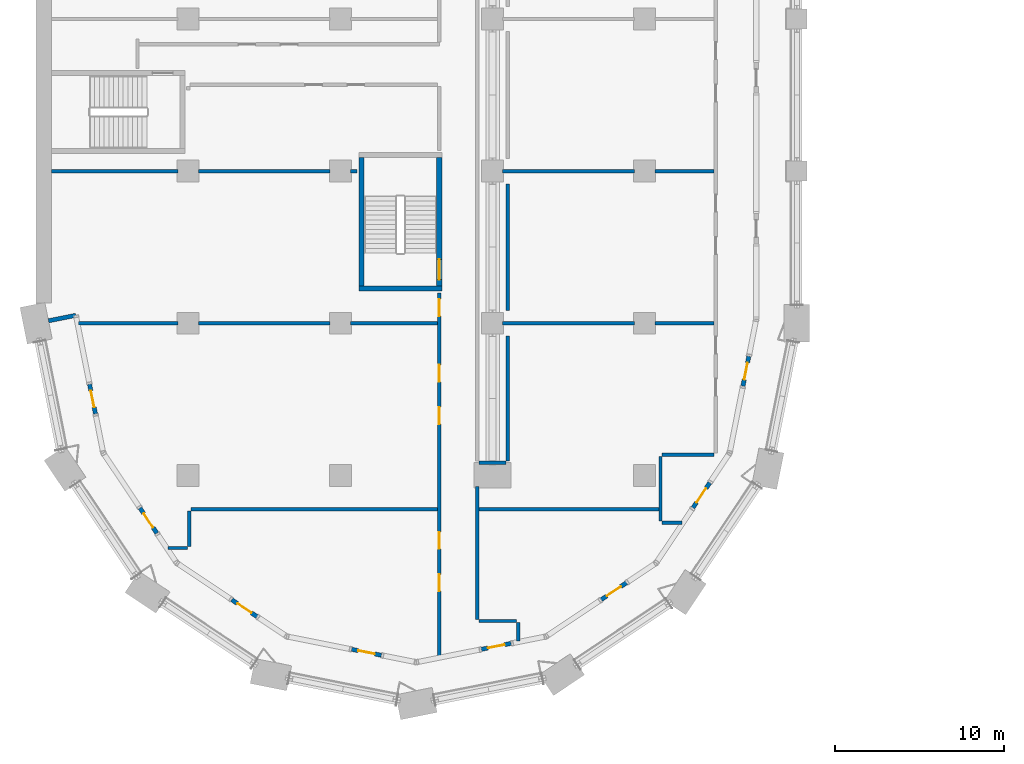
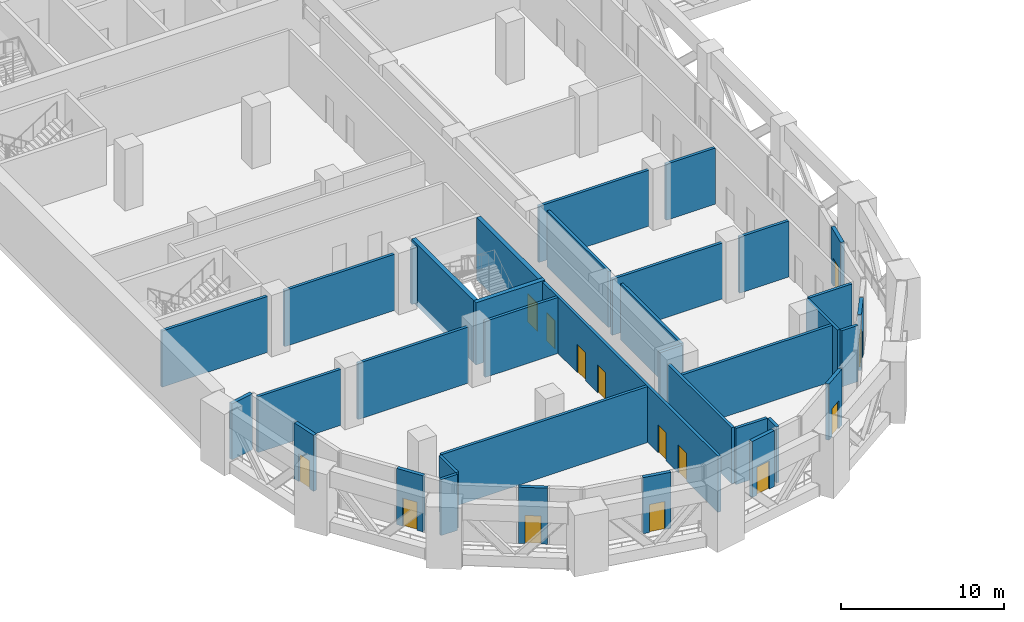
# One storey, part 7 of 22: 36 walls, 14 doors, 14 openings.
"""IFC4 building model written with IfcOpenShell, lengths in metres."""

from ifc_helpers import new_model, si_unit, direction, frame, frame_2d, origin, place, context, subcontext, project, spatial, rectangle, extrude, material, layer, layer_set, type_object, element, fill, save


model = new_model("IFC4")

# Units and contexts
model_context = context("Model", 3, precision=1e-05, world=origin(), true_north=direction((0.0, 1.0)))
body_context = subcontext(model_context, "Body", "Model", "MODEL_VIEW")
ifc_project = project(units=[si_unit("LENGTHUNIT", "METRE"), si_unit("AREAUNIT", "SQUARE_METRE"), si_unit("VOLUMEUNIT", "CUBIC_METRE"), si_unit("PLANEANGLEUNIT", "RADIAN"), si_unit("MASSUNIT", "GRAM", prefix="KILO")], contexts=[model_context])

# Site, building, storey
site_placement = place(None, origin())
site = spatial("IfcSite", under=ifc_project, at=site_placement, CompositionType="ELEMENT")
building_placement = place(site_placement, origin())
building = spatial("IfcBuilding", under=site, at=building_placement, Name="Hunhe Ridgeline Campus", CompositionType="ELEMENT")
storey_placement = place(building_placement, frame((0.0, 0.0, 129.199951171875)))
storey = spatial("IfcBuildingStorey", under=building, at=storey_placement, Name="L32", CompositionType="ELEMENT", Elevation=129.199951171875)

# Walls
ifc_material_1 = material(Name="Concrete C30", Category="concrete")
ifc_layer_1 = layer(ifc_material_1, 0.25)
ifc_layer_set_1 = layer_set([ifc_layer_1], Name="Corner return wall 250 Concrete C30")
wall_type_1 = type_object("IfcWallType", Name="Corner return wall 250 Concrete C30", PredefinedType="SOLIDWALL", material=ifc_layer_set_1)
wall_1_placement = place(storey_placement, frame((0.7353515625, 27.14697265625, 0.0), z_axis=(0.0, 0.0, 1.0), x_axis=(0.980824468215, 0.194893208067, 0.0)))
element("IfcWall", 1, at=wall_1_placement, inside=storey, type_object=wall_type_1, Name="Corner return wall 1", PredefinedType="SOLIDWALL", context=body_context, shape_type="SweptSolid", body=[
    extrude(rectangle(XDim=1.651123046875, YDim=0.25, at=frame_2d((0.82568359375, 0.0))), origin(), (0.0, 0.0, 1.0), 4.199951171875),
])
ifc_material_2 = material(Name="Gypsum board partition")
ifc_layer_2 = layer(ifc_material_2, 0.199951171875)
ifc_layer_set_2 = layer_set([ifc_layer_2], Name="Corridor partition 200 gypsum board on steel studs")
wall_type_2 = type_object("IfcWallType", Name="Corridor partition 200 gypsum board on steel studs", PredefinedType="PARTITIONING", material=ifc_layer_set_2)
wall_2_placement = place(storey_placement, frame((26.199951171875, 9.386962890625, 0.0), z_axis=(0.0, 0.0, 1.0), x_axis=(1.0, 0.0, 0.0)))
element("IfcWall", 2, at=wall_2_placement, inside=storey, type_object=wall_type_2, Name="F-L32-wall-001", PredefinedType="PARTITIONING", context=body_context, shape_type="SweptSolid", body=[
    extrude(rectangle(XDim=2.219970703125, YDim=0.199951171875, at=frame_2d((1.10986328125, 0.0))), origin(), (0.0, 0.0, 1.0), 4.199951171875),
])
for number, where, z_axis, x_axis, name in (
    (3, (7.796875, 13.702880859375, 0.0), (0.0, 0.0, 1.0), (1.0, 0.0, 0.0), "F-L32-wall-002"),
    (4, (38.203125, 15.199951171875, 0.0), (0.0, 0.0, 1.0), (-1.0, 0.0, 0.0), "F-L32-wall-003"),
):
    element("IfcWall", number, at=place(storey_placement, frame(where, z_axis=z_axis, x_axis=x_axis)), inside=storey, type_object=wall_type_2, Name=name, PredefinedType="PARTITIONING", context=body_context, shape_type="SweptSolid", body=[
        extrude(rectangle(XDim=1.1650390625, YDim=0.199951171875, at=frame_2d((0.58251953125, 0.0))), origin(), (0.0, 0.0, 1.0), 4.199951171875),
    ])
wall_3_placement = place(storey_placement, frame((9.162109375, 15.9990234375, 0.0), z_axis=(0.0, 0.0, 1.0), x_axis=(1.0, 0.0, 0.0)))
element("IfcWall", 5, at=wall_3_placement, inside=storey, type_object=wall_type_2, Name="F-L32-wall-004", PredefinedType="PARTITIONING", context=body_context, shape_type="SweptSolid", body=[
    extrude(rectangle(XDim=14.587890625, YDim=0.199951171875, at=frame_2d((7.2939453125, 0.0))), origin(), (0.0, 0.0, 1.0), 4.199951171875),
])
wall_4_placement = place(storey_placement, frame((26.199951171875, 15.9990234375, 0.0), z_axis=(0.0, 0.0, 1.0), x_axis=(1.0, 0.0, 0.0)))
element("IfcWall", 6, at=wall_4_placement, inside=storey, type_object=wall_type_2, Name="F-L32-wall-005", PredefinedType="PARTITIONING", context=body_context, shape_type="SweptSolid", body=[
    extrude(rectangle(XDim=10.637939453125, YDim=0.199951171875, at=frame_2d((5.31884765625, 0.0))), origin(), (0.0, 0.0, 1.0), 4.199951171875),
])
wall_5_placement = place(storey_placement, frame((26.199951171875, 18.75, 0.0), z_axis=(0.0, 0.0, 1.0), x_axis=(1.0, 0.0, 0.0)))
element("IfcWall", 7, at=wall_5_placement, inside=storey, type_object=wall_type_2, Name="F-L32-wall-006", PredefinedType="PARTITIONING", context=body_context, shape_type="SweptSolid", body=[
    extrude(rectangle(XDim=1.60009765625, YDim=0.199951171875, at=frame_2d((0.800048828125, 0.0))), origin(), (0.0, 0.0, 1.0), 4.199951171875),
])
wall_6_placement = place(storey_placement, frame((37.0380859375, 19.221923828125, 0.0), z_axis=(0.0, 0.0, 1.0), x_axis=(1.0, 0.0, 0.0)))
element("IfcWall", 8, at=wall_6_placement, inside=storey, type_object=wall_type_2, Name="F-L32-wall-007", PredefinedType="PARTITIONING", context=body_context, shape_type="SweptSolid", body=[
    extrude(rectangle(XDim=3.06201171875, YDim=0.199951171875, at=frame_2d((1.531005859375, 0.0))), origin(), (0.0, 0.0, 1.0), 4.199951171875),
])
wall_7_placement = place(storey_placement, frame((2.5029296875, 27.0, 0.0), z_axis=(0.0, 0.0, 1.0), x_axis=(1.0, 0.0, 0.0)))
element("IfcWall", 9, at=wall_7_placement, inside=storey, type_object=wall_type_2, Name="F-L32-wall-008", PredefinedType="PARTITIONING", context=body_context, shape_type="SweptSolid", body=[
    extrude(rectangle(XDim=5.89697265625, YDim=0.199951171875, at=frame_2d((2.948486328125, 0.0))), origin(), (0.0, 0.0, 1.0), 4.199951171875),
])
wall_8_placement = place(storey_placement, frame((9.60009765625, 27.0, 0.0), z_axis=(0.0, 0.0, 1.0), x_axis=(1.0, 0.0, 0.0)))
element("IfcWall", 10, at=wall_8_placement, inside=storey, type_object=wall_type_2, Name="F-L32-wall-009", PredefinedType="PARTITIONING", context=body_context, shape_type="SweptSolid", body=[
    extrude(rectangle(XDim=7.7998046875, YDim=0.199951171875, at=frame_2d((3.89990234375, 0.0))), origin(), (0.0, 0.0, 1.0), 4.199951171875),
])
wall_9_placement = place(storey_placement, frame((18.60009765625, 27.0, 0.0), z_axis=(0.0, 0.0, 1.0), x_axis=(1.0, 0.0, 0.0)))
element("IfcWall", 11, at=wall_9_placement, inside=storey, type_object=wall_type_2, Name="F-L32-wall-010", PredefinedType="PARTITIONING", context=body_context, shape_type="SweptSolid", body=[
    extrude(rectangle(XDim=5.14990234375, YDim=0.199951171875, at=frame_2d((2.574951171875, 0.0))), origin(), (0.0, 0.0, 1.0), 4.199951171875),
])
wall_10_placement = place(storey_placement, frame((27.60009765625, 27.0, 0.0), z_axis=(0.0, 0.0, 1.0), x_axis=(1.0, 0.0, 0.0)))
element("IfcWall", 12, at=wall_10_placement, inside=storey, type_object=wall_type_2, Name="F-L32-wall-011", PredefinedType="PARTITIONING", context=body_context, shape_type="SweptSolid", body=[
    extrude(rectangle(XDim=7.7998046875, YDim=0.199951171875, at=frame_2d((3.89990234375, 0.0))), origin(), (0.0, 0.0, 1.0), 4.199951171875),
])
wall_11_placement = place(storey_placement, frame((36.60009765625, 27.0, 0.0), z_axis=(0.0, 0.0, 1.0), x_axis=(1.0, 0.0, 0.0)))
element("IfcWall", 13, at=wall_11_placement, inside=storey, type_object=wall_type_2, Name="F-L32-wall-012", PredefinedType="PARTITIONING", context=body_context, shape_type="SweptSolid", body=[
    extrude(rectangle(XDim=3.5, YDim=0.199951171875, at=frame_2d((1.75, 0.0))), origin(), (0.0, 0.0, 1.0), 4.199951171875),
])
wall_12_placement = place(storey_placement, frame((0.924072265625, 36.0, 0.0), z_axis=(0.0, 0.0, 1.0), x_axis=(1.0, 0.0, 0.0)))
element("IfcWall", 14, at=wall_12_placement, inside=storey, type_object=wall_type_2, Name="F-L32-wall-013", PredefinedType="PARTITIONING", context=body_context, shape_type="SweptSolid", body=[
    extrude(rectangle(XDim=7.475830078125, YDim=0.199951171875, at=frame_2d((3.73779296875, 0.0))), origin(), (0.0, 0.0, 1.0), 4.199951171875),
])
wall_13_placement = place(storey_placement, frame((9.60009765625, 36.0, 0.0), z_axis=(0.0, 0.0, 1.0), x_axis=(1.0, 0.0, 0.0)))
element("IfcWall", 15, at=wall_13_placement, inside=storey, type_object=wall_type_2, Name="F-L32-wall-014", PredefinedType="PARTITIONING", context=body_context, shape_type="SweptSolid", body=[
    extrude(rectangle(XDim=7.7998046875, YDim=0.199951171875, at=frame_2d((3.89990234375, 0.0))), origin(), (0.0, 0.0, 1.0), 4.199951171875),
])
wall_14_placement = place(storey_placement, frame((18.60009765625, 36.0, 0.0), z_axis=(0.0, 0.0, 1.0), x_axis=(1.0, 0.0, 0.0)))
element("IfcWall", 16, at=wall_14_placement, inside=storey, type_object=wall_type_2, Name="F-L32-wall-015", PredefinedType="PARTITIONING", context=body_context, shape_type="SweptSolid", body=[
    extrude(rectangle(XDim=0.39599609375, YDim=0.199951171875, at=frame_2d((0.197998046875, 0.0))), origin(), (0.0, 0.0, 1.0), 4.199951171875),
])
wall_15_placement = place(storey_placement, frame((27.60009765625, 36.0, 0.0), z_axis=(0.0, 0.0, 1.0), x_axis=(1.0, 0.0, 0.0)))
element("IfcWall", 17, at=wall_15_placement, inside=storey, type_object=wall_type_2, Name="F-L32-wall-016", PredefinedType="PARTITIONING", context=body_context, shape_type="SweptSolid", body=[
    extrude(rectangle(XDim=7.7998046875, YDim=0.199951171875, at=frame_2d((3.89990234375, 0.0))), origin(), (0.0, 0.0, 1.0), 4.199951171875),
])
wall_16_placement = place(storey_placement, frame((36.60009765625, 36.0, 0.0), z_axis=(0.0, 0.0, 1.0), x_axis=(1.0, 0.0, 0.0)))
element("IfcWall", 18, at=wall_16_placement, inside=storey, type_object=wall_type_2, Name="F-L32-wall-017", PredefinedType="PARTITIONING", context=body_context, shape_type="SweptSolid", body=[
    extrude(rectangle(XDim=3.5, YDim=0.199951171875, at=frame_2d((1.75, 0.0))), origin(), (0.0, 0.0, 1.0), 4.199951171875),
])
wall_17_placement = place(storey_placement, frame((9.06201171875, 15.89892578125, 0.0), z_axis=(0.0, 0.0, 1.0), x_axis=(0.0, -1.0, 0.0)))
element("IfcWall", 19, at=wall_17_placement, inside=storey, type_object=wall_type_2, Name="F-L32-wall-046", PredefinedType="PARTITIONING", context=body_context, shape_type="SweptSolid", body=[
    extrude(rectangle(XDim=2.095947265625, YDim=0.199951171875, at=frame_2d((1.0478515625, 0.0))), origin(), (0.0, 0.0, 1.0), 4.199951171875),
])

# Wall, openings, doors
wall_18_placement = place(storey_placement, frame((23.85009765625, 7.271728515625, 0.0), z_axis=(0.0, 0.0, 1.0), x_axis=(0.0, 1.0, 0.0)))
wall_18 = element("IfcWall", 20, at=wall_18_placement, inside=storey, type_object=wall_type_2, Name="F-L32-wall-047", PredefinedType="PARTITIONING", context=body_context, shape_type="SweptSolid", body=[
    extrude(rectangle(XDim=21.524169921875, YDim=0.199951171875, at=frame_2d((10.76220703125, 0.0))), origin(), (0.0, 0.0, 1.0), 4.199951171875),
])
opening_1_placement = place(wall_18_placement, frame((3.8798828125, 0.0, 0.0)))
opening_1 = element("IfcOpeningElement", 21, at=opening_1_placement, cuts=wall_18, Name="Opening RD1-001", PredefinedType="OPENING", context=body_context, shape_type="SweptSolid", body=[
    extrude(rectangle(XDim=1.0, YDim=2.10009765625, at=frame_2d((0.5, 1.050048828125))), frame((0.0, 0.10009765625, 0.0), z_axis=(0.0, -1.0, 0.0), x_axis=(1.0, 0.0, 0.0)), (0.0, 0.0, 1.0), 0.199951171875),
])
opening_2_placement = place(wall_18_placement, frame((6.3798828125, 0.0, 0.0)))
opening_2 = element("IfcOpeningElement", 22, at=opening_2_placement, cuts=wall_18, Name="Opening RD1-002", PredefinedType="OPENING", context=body_context, shape_type="SweptSolid", body=[
    extrude(rectangle(XDim=1.0, YDim=2.10009765625, at=frame_2d((0.5, 1.050048828125))), frame((0.0, 0.10009765625, 0.0), z_axis=(0.0, -1.0, 0.0), x_axis=(1.0, 0.0, 0.0)), (0.0, 0.0, 1.0), 0.199951171875),
])
opening_3_placement = place(wall_18_placement, frame((13.76611328125, 0.0, 0.0)))
opening_3 = element("IfcOpeningElement", 23, at=opening_3_placement, cuts=wall_18, Name="Opening RD1-003", PredefinedType="OPENING", context=body_context, shape_type="SweptSolid", body=[
    extrude(rectangle(XDim=1.0, YDim=2.10009765625, at=frame_2d((0.5, 1.050048828125))), frame((0.0, 0.10009765625, 0.0), z_axis=(0.0, -1.0, 0.0), x_axis=(1.0, 0.0, 0.0)), (0.0, 0.0, 1.0), 0.199951171875),
])
opening_4_placement = place(wall_18_placement, frame((16.26611328125, 0.0, 0.0)))
opening_4 = element("IfcOpeningElement", 24, at=opening_4_placement, cuts=wall_18, Name="Opening RD1-005", PredefinedType="OPENING", context=body_context, shape_type="SweptSolid", body=[
    extrude(rectangle(XDim=1.0, YDim=2.10009765625, at=frame_2d((0.5, 1.050048828125))), frame((0.0, 0.10009765625, 0.0), z_axis=(0.0, -1.0, 0.0), x_axis=(1.0, 0.0, 0.0)), (0.0, 0.0, 1.0), 0.199951171875),
])
opening_5_placement = place(wall_18_placement, frame((20.1484375, 0.0, 0.0)))
opening_5 = element("IfcOpeningElement", 25, at=opening_5_placement, cuts=wall_18, Name="Opening RD1-007", PredefinedType="OPENING", context=body_context, shape_type="SweptSolid", body=[
    extrude(rectangle(XDim=1.0, YDim=2.10009765625, at=frame_2d((0.5, 1.050048828125))), frame((0.0, 0.10009765625, 0.0), z_axis=(0.0, -1.0, 0.0), x_axis=(1.0, 0.0, 0.0)), (0.0, 0.0, 1.0), 0.199951171875),
])
ifc_material_3 = material(Name="Timber door leaf", Category="wood")
door_type_1 = type_object("IfcDoorType", Name="Single fire door 1000x2100 timber FD60", OperationType="NOTDEFINED", PredefinedType="DOOR", material=ifc_material_3)
door_1_placement = place(opening_1_placement, frame((1.0, 0.0, 0.0), z_axis=(0.0, 0.0, 1.0), x_axis=(-1.0, 0.0, 0.0)))
door_1 = element("IfcDoor", 26, at=door_1_placement, inside=storey, type_object=door_type_1, Name="F-L32-door-001", OperationType="SINGLE_SWING_LEFT", OverallHeight=2.10009765625, OverallWidth=1.0, PredefinedType="DOOR", context=body_context, shape_type="SweptSolid", body=[
    extrude(rectangle(XDim=1.0, YDim=2.10009765625, at=frame_2d((0.5, 1.050048828125))), frame((0.0, 0.02490234375, 0.0), z_axis=(0.0, -1.0, 0.0), x_axis=(1.0, 0.0, 0.0)), (0.0, 0.0, 1.0), 0.050048828125),
])
fill(opening_1, door_1)
door_2_placement = place(opening_2_placement, frame((1.0, 0.0, 0.0), z_axis=(0.0, 0.0, 1.0), x_axis=(-1.0, 0.0, 0.0)))
door_2 = element("IfcDoor", 27, at=door_2_placement, inside=storey, type_object=door_type_1, Name="F-L32-door-002", OperationType="SINGLE_SWING_LEFT", OverallHeight=2.10009765625, OverallWidth=1.0, PredefinedType="DOOR", context=body_context, shape_type="SweptSolid", body=[
    extrude(rectangle(XDim=1.0, YDim=2.10009765625, at=frame_2d((0.5, 1.050048828125))), frame((0.0, 0.02490234375, 0.0), z_axis=(0.0, -1.0, 0.0), x_axis=(1.0, 0.0, 0.0)), (0.0, 0.0, 1.0), 0.050048828125),
])
fill(opening_2, door_2)
door_3_placement = place(opening_3_placement, frame((1.0, 0.0, 0.0), z_axis=(0.0, 0.0, 1.0), x_axis=(-1.0, 0.0, 0.0)))
door_3 = element("IfcDoor", 28, at=door_3_placement, inside=storey, type_object=door_type_1, Name="F-L32-door-003", OperationType="SINGLE_SWING_LEFT", OverallHeight=2.10009765625, OverallWidth=1.0, PredefinedType="DOOR", context=body_context, shape_type="SweptSolid", body=[
    extrude(rectangle(XDim=1.0, YDim=2.10009765625, at=frame_2d((0.5, 1.050048828125))), frame((0.0, 0.02490234375, 0.0), z_axis=(0.0, -1.0, 0.0), x_axis=(1.0, 0.0, 0.0)), (0.0, 0.0, 1.0), 0.050048828125),
])
fill(opening_3, door_3)
door_4_placement = place(opening_4_placement, frame((1.0, 0.0, 0.0), z_axis=(0.0, 0.0, 1.0), x_axis=(-1.0, 0.0, 0.0)))
door_4 = element("IfcDoor", 29, at=door_4_placement, inside=storey, type_object=door_type_1, Name="F-L32-door-005", OperationType="SINGLE_SWING_LEFT", OverallHeight=2.10009765625, OverallWidth=1.0, PredefinedType="DOOR", context=body_context, shape_type="SweptSolid", body=[
    extrude(rectangle(XDim=1.0, YDim=2.10009765625, at=frame_2d((0.5, 1.050048828125))), frame((0.0, 0.02490234375, 0.0), z_axis=(0.0, -1.0, 0.0), x_axis=(1.0, 0.0, 0.0)), (0.0, 0.0, 1.0), 0.050048828125),
])
fill(opening_4, door_4)
door_5_placement = place(opening_5_placement, frame((1.0, 0.0, 0.0), z_axis=(0.0, 0.0, 1.0), x_axis=(-1.0, 0.0, 0.0)))
door_5 = element("IfcDoor", 30, at=door_5_placement, inside=storey, type_object=door_type_1, Name="F-L32-door-007", OperationType="SINGLE_SWING_LEFT", OverallHeight=2.10009765625, OverallWidth=1.0, PredefinedType="DOOR", context=body_context, shape_type="SweptSolid", body=[
    extrude(rectangle(XDim=1.0, YDim=2.10009765625, at=frame_2d((0.5, 1.050048828125))), frame((0.0, 0.02490234375, 0.0), z_axis=(0.0, -1.0, 0.0), x_axis=(1.0, 0.0, 0.0)), (0.0, 0.0, 1.0), 0.050048828125),
])
fill(opening_5, door_5)

# Walls
wall_19_placement = place(storey_placement, frame((26.10009765625, 17.35009765625, 0.0), z_axis=(0.0, 0.0, 1.0), x_axis=(0.0, -1.0, 0.0)))
element("IfcWall", 31, at=wall_19_placement, inside=storey, type_object=wall_type_2, Name="F-L32-wall-050", PredefinedType="PARTITIONING", context=body_context, shape_type="SweptSolid", body=[
    extrude(rectangle(XDim=7.863037109375, YDim=0.199951171875, at=frame_2d((3.931640625, 0.0))), origin(), (0.0, 0.0, 1.0), 4.199951171875),
])
wall_20_placement = place(storey_placement, frame((27.89990234375, 26.25, 0.0), z_axis=(0.0, 0.0, 1.0), x_axis=(0.0, -1.0, 0.0)))
element("IfcWall", 32, at=wall_20_placement, inside=storey, type_object=wall_type_2, Name="F-L32-wall-052", PredefinedType="PARTITIONING", context=body_context, shape_type="SweptSolid", body=[
    extrude(rectangle(XDim=7.39990234375, YDim=0.199951171875, at=frame_2d((3.699951171875, 0.0))), origin(), (0.0, 0.0, 1.0), 4.199951171875),
])
wall_21_placement = place(storey_placement, frame((27.89990234375, 35.25, 0.0), z_axis=(0.0, 0.0, 1.0), x_axis=(0.0, -1.0, 0.0)))
element("IfcWall", 33, at=wall_21_placement, inside=storey, type_object=wall_type_2, Name="F-L32-wall-053", PredefinedType="PARTITIONING", context=body_context, shape_type="SweptSolid", body=[
    extrude(rectangle(XDim=7.5, YDim=0.199951171875, at=frame_2d((3.75, 0.0))), origin(), (0.0, 0.0, 1.0), 4.199951171875),
])
wall_22_placement = place(storey_placement, frame((28.52001953125, 9.287109375, 0.0), z_axis=(0.0, 0.0, 1.0), x_axis=(0.0, -1.0, 0.0)))
element("IfcWall", 34, at=wall_22_placement, inside=storey, type_object=wall_type_2, Name="F-L32-wall-057", PredefinedType="PARTITIONING", context=body_context, shape_type="SweptSolid", body=[
    extrude(rectangle(XDim=1.086669921875, YDim=0.199951171875, at=frame_2d((0.54345703125, 0.0))), origin(), (0.0, 0.0, 1.0), 4.199951171875),
])
wall_23_placement = place(storey_placement, frame((36.93798828125, 15.300048828125, 0.0), z_axis=(0.0, 0.0, 1.0), x_axis=(0.0, 1.0, 0.0)))
element("IfcWall", 35, at=wall_23_placement, inside=storey, type_object=wall_type_2, Name="F-L32-wall-058", PredefinedType="PARTITIONING", context=body_context, shape_type="SweptSolid", body=[
    extrude(rectangle(XDim=3.822021484375, YDim=0.199951171875, at=frame_2d((1.9111328125, 0.0))), origin(), (0.0, 0.0, 1.0), 4.199951171875),
])

# Wall, opening, door
ifc_layer_3 = layer(ifc_material_1, 0.25)
ifc_layer_set_3 = layer_set([ifc_layer_3], Name="Loggia door pier wall 250 Concrete C30")
wall_type_3 = type_object("IfcWallType", Name="Loggia door pier wall 250 Concrete C30", PredefinedType="SOLIDWALL", material=ifc_layer_set_3)
wall_24_placement = place(storey_placement, frame((3.16455078125, 23.3974609375, 0.0), z_axis=(0.0, 0.0, 1.0), x_axis=(0.19517704197, -0.980768026746, 0.0)))
wall_24 = element("IfcWall", 36, at=wall_24_placement, inside=storey, type_object=wall_type_3, Name="Loggia door pier 1", PredefinedType="SOLIDWALL", context=body_context, shape_type="SweptSolid", body=[
    extrude(rectangle(XDim=1.800048828125, YDim=0.25, at=frame_2d((0.89990234375, 0.0))), origin(), (0.0, 0.0, 1.0), 4.199951171875),
])
opening_6_placement = place(wall_24_placement, frame((0.39990234375, 0.0, 0.0)))
opening_6 = element("IfcOpeningElement", 37, at=opening_6_placement, cuts=wall_24, Name="Opening BR301", PredefinedType="OPENING", context=body_context, shape_type="SweptSolid", body=[
    extrude(rectangle(XDim=1.0, YDim=2.10009765625, at=frame_2d((0.5, 1.050048828125))), frame((0.0, 0.125, 0.0), z_axis=(0.0, -1.0, 0.0), x_axis=(1.0, 0.0, 0.0)), (0.0, 0.0, 1.0), 0.25),
])
ifc_material_4 = material(Name="Aluminium 6063", Category="aluminium")
door_type_2 = type_object("IfcDoorType", Name="Loggia glazed door 1000x2100", OperationType="NOTDEFINED", PredefinedType="DOOR", material=ifc_material_4)
door_6_placement = place(opening_6_placement, frame((1.0, 0.0, 0.0), z_axis=(0.0, 0.0, 1.0), x_axis=(-1.0, 0.0, 0.0)))
door_6 = element("IfcDoor", 38, at=door_6_placement, inside=storey, type_object=door_type_2, Name="Loggia door BR301", OperationType="SINGLE_SWING_RIGHT", OverallHeight=2.10009765625, OverallWidth=1.0, PredefinedType="DOOR", context=body_context, shape_type="SweptSolid", body=[
    extrude(rectangle(XDim=1.0, YDim=2.10009765625, at=frame_2d((0.5, 1.050048828125))), frame((0.0, 0.02490234375, 0.0), z_axis=(0.0, -1.0, 0.0), x_axis=(1.0, 0.0, 0.0)), (0.0, 0.0, 1.0), 0.050048828125),
])
fill(opening_6, door_6)

wall_25_placement = place(storey_placement, frame((6.147705078125, 16.07373046875, 0.0), z_axis=(0.0, 0.0, 1.0), x_axis=(0.555576323502, -0.83146554274, 0.0)))
wall_25 = element("IfcWall", 39, at=wall_25_placement, inside=storey, type_object=wall_type_3, Name="Loggia door pier 2", PredefinedType="SOLIDWALL", context=body_context, shape_type="SweptSolid", body=[
    extrude(rectangle(XDim=1.800048828125, YDim=0.25, at=frame_2d((0.89990234375, 0.0))), origin(), (0.0, 0.0, 1.0), 4.199951171875),
])
opening_7_placement = place(wall_25_placement, frame((0.39990234375, 0.0, 0.0)))
opening_7 = element("IfcOpeningElement", 40, at=opening_7_placement, cuts=wall_25, Name="Opening BR302", PredefinedType="OPENING", context=body_context, shape_type="SweptSolid", body=[
    extrude(rectangle(XDim=1.0, YDim=2.10009765625, at=frame_2d((0.5, 1.050048828125))), frame((0.0, 0.125, 0.0), z_axis=(0.0, -1.0, 0.0), x_axis=(1.0, 0.0, 0.0)), (0.0, 0.0, 1.0), 0.25),
])
door_7_placement = place(opening_7_placement, frame((1.0, 0.0, 0.0), z_axis=(0.0, 0.0, 1.0), x_axis=(-1.0, 0.0, 0.0)))
door_7 = element("IfcDoor", 41, at=door_7_placement, inside=storey, type_object=door_type_2, Name="Loggia door BR302", OperationType="SINGLE_SWING_LEFT", OverallHeight=2.10009765625, OverallWidth=1.0, PredefinedType="DOOR", context=body_context, shape_type="SweptSolid", body=[
    extrude(rectangle(XDim=1.0, YDim=2.10009765625, at=frame_2d((0.5, 1.050048828125))), frame((0.0, 0.02490234375, 0.0), z_axis=(0.0, -1.0, 0.0), x_axis=(1.0, 0.0, 0.0)), (0.0, 0.0, 1.0), 0.050048828125),
])
fill(opening_7, door_7)

wall_26_placement = place(storey_placement, frame((11.57373046875, 10.647705078125, 0.0), z_axis=(0.0, 0.0, 1.0), x_axis=(0.83146554274, -0.555576323502, 0.0)))
wall_26 = element("IfcWall", 42, at=wall_26_placement, inside=storey, type_object=wall_type_3, Name="Loggia door pier 3", PredefinedType="SOLIDWALL", context=body_context, shape_type="SweptSolid", body=[
    extrude(rectangle(XDim=1.800048828125, YDim=0.25, at=frame_2d((0.89990234375, 0.0))), origin(), (0.0, 0.0, 1.0), 4.199951171875),
])
opening_8_placement = place(wall_26_placement, frame((0.39990234375, 0.0, 0.0)))
opening_8 = element("IfcOpeningElement", 43, at=opening_8_placement, cuts=wall_26, Name="Opening BR303", PredefinedType="OPENING", context=body_context, shape_type="SweptSolid", body=[
    extrude(rectangle(XDim=1.0, YDim=2.10009765625, at=frame_2d((0.5, 1.050048828125))), frame((0.0, 0.125, 0.0), z_axis=(0.0, -1.0, 0.0), x_axis=(1.0, 0.0, 0.0)), (0.0, 0.0, 1.0), 0.25),
])
door_8_placement = place(opening_8_placement, frame((1.0, 0.0, 0.0), z_axis=(0.0, 0.0, 1.0), x_axis=(-1.0, 0.0, 0.0)))
door_8 = element("IfcDoor", 44, at=door_8_placement, inside=storey, type_object=door_type_2, Name="Loggia door BR303", OperationType="SINGLE_SWING_RIGHT", OverallHeight=2.10009765625, OverallWidth=1.0, PredefinedType="DOOR", context=body_context, shape_type="SweptSolid", body=[
    extrude(rectangle(XDim=1.0, YDim=2.10009765625, at=frame_2d((0.5, 1.050048828125))), frame((0.0, 0.02490234375, 0.0), z_axis=(0.0, -1.0, 0.0), x_axis=(1.0, 0.0, 0.0)), (0.0, 0.0, 1.0), 0.050048828125),
])
fill(opening_8, door_8)

wall_27_placement = place(storey_placement, frame((18.663330078125, 7.711181640625, 0.0), z_axis=(0.0, 0.0, 1.0), x_axis=(0.980793982239, -0.195046569833, 0.0)))
wall_27 = element("IfcWall", 45, at=wall_27_placement, inside=storey, type_object=wall_type_3, Name="Loggia door pier 4", PredefinedType="SOLIDWALL", context=body_context, shape_type="SweptSolid", body=[
    extrude(rectangle(XDim=1.800048828125, YDim=0.25, at=frame_2d((0.89990234375, 0.0))), origin(), (0.0, 0.0, 1.0), 4.199951171875),
])
opening_9_placement = place(wall_27_placement, frame((0.39990234375, 0.0, 0.0)))
opening_9 = element("IfcOpeningElement", 46, at=opening_9_placement, cuts=wall_27, Name="Opening BR304", PredefinedType="OPENING", context=body_context, shape_type="SweptSolid", body=[
    extrude(rectangle(XDim=1.0, YDim=2.10009765625, at=frame_2d((0.5, 1.050048828125))), frame((0.0, 0.125, 0.0), z_axis=(0.0, -1.0, 0.0), x_axis=(1.0, 0.0, 0.0)), (0.0, 0.0, 1.0), 0.25),
])
door_9_placement = place(opening_9_placement, frame((1.0, 0.0, 0.0), z_axis=(0.0, 0.0, 1.0), x_axis=(-1.0, 0.0, 0.0)))
door_9 = element("IfcDoor", 47, at=door_9_placement, inside=storey, type_object=door_type_2, Name="Loggia door BR304", OperationType="SINGLE_SWING_LEFT", OverallHeight=2.10009765625, OverallWidth=1.0, PredefinedType="DOOR", context=body_context, shape_type="SweptSolid", body=[
    extrude(rectangle(XDim=1.0, YDim=2.10009765625, at=frame_2d((0.5, 1.050048828125))), frame((0.0, 0.02490234375, 0.0), z_axis=(0.0, -1.0, 0.0), x_axis=(1.0, 0.0, 0.0)), (0.0, 0.0, 1.0), 0.050048828125),
])
fill(opening_9, door_9)

wall_28_placement = place(storey_placement, frame((26.336669921875, 7.711181640625, 0.0), z_axis=(0.0, 0.0, 1.0), x_axis=(0.98077319256, 0.195151081871, 0.0)))
wall_28 = element("IfcWall", 48, at=wall_28_placement, inside=storey, type_object=wall_type_3, Name="Loggia door pier 5", PredefinedType="SOLIDWALL", context=body_context, shape_type="SweptSolid", body=[
    extrude(rectangle(XDim=1.80029296875, YDim=0.25, at=frame_2d((0.900146484375, 0.0))), origin(), (0.0, 0.0, 1.0), 4.199951171875),
])
opening_10_placement = place(wall_28_placement, frame((0.39990234375, 0.0, 0.0)))
opening_10 = element("IfcOpeningElement", 49, at=opening_10_placement, cuts=wall_28, Name="Opening BR305", PredefinedType="OPENING", context=body_context, shape_type="SweptSolid", body=[
    extrude(rectangle(XDim=1.0, YDim=2.10009765625, at=frame_2d((0.5, 1.050048828125))), frame((0.0, 0.125, 0.0), z_axis=(0.0, -1.0, 0.0), x_axis=(1.0, 0.0, 0.0)), (0.0, 0.0, 1.0), 0.25),
])
door_10_placement = place(opening_10_placement, frame((1.0, 0.0, 0.0), z_axis=(0.0, 0.0, 1.0), x_axis=(-1.0, 0.0, 0.0)))
door_10 = element("IfcDoor", 50, at=door_10_placement, inside=storey, type_object=door_type_2, Name="Loggia door BR305", OperationType="SINGLE_SWING_RIGHT", OverallHeight=2.10009765625, OverallWidth=1.0, PredefinedType="DOOR", context=body_context, shape_type="SweptSolid", body=[
    extrude(rectangle(XDim=1.0, YDim=2.10009765625, at=frame_2d((0.5, 1.050048828125))), frame((0.0, 0.02490234375, 0.0), z_axis=(0.0, -1.0, 0.0), x_axis=(1.0, 0.0, 0.0)), (0.0, 0.0, 1.0), 0.050048828125),
])
fill(opening_10, door_10)

wall_29_placement = place(storey_placement, frame((33.42626953125, 10.647705078125, 0.0), z_axis=(0.0, 0.0, 1.0), x_axis=(0.83146554274, 0.555576323502, 0.0)))
wall_29 = element("IfcWall", 51, at=wall_29_placement, inside=storey, type_object=wall_type_3, Name="Loggia door pier 6", PredefinedType="SOLIDWALL", context=body_context, shape_type="SweptSolid", body=[
    extrude(rectangle(XDim=1.800048828125, YDim=0.25, at=frame_2d((0.89990234375, 0.0))), origin(), (0.0, 0.0, 1.0), 4.199951171875),
])
opening_11_placement = place(wall_29_placement, frame((0.39990234375, 0.0, 0.0)))
opening_11 = element("IfcOpeningElement", 52, at=opening_11_placement, cuts=wall_29, Name="Opening BR306", PredefinedType="OPENING", context=body_context, shape_type="SweptSolid", body=[
    extrude(rectangle(XDim=1.0, YDim=2.10009765625, at=frame_2d((0.5, 1.050048828125))), frame((0.0, 0.125, 0.0), z_axis=(0.0, -1.0, 0.0), x_axis=(1.0, 0.0, 0.0)), (0.0, 0.0, 1.0), 0.25),
])
door_11_placement = place(opening_11_placement, frame((1.0, 0.0, 0.0), z_axis=(0.0, 0.0, 1.0), x_axis=(-1.0, 0.0, 0.0)))
door_11 = element("IfcDoor", 53, at=door_11_placement, inside=storey, type_object=door_type_2, Name="Loggia door BR306", OperationType="SINGLE_SWING_LEFT", OverallHeight=2.10009765625, OverallWidth=1.0, PredefinedType="DOOR", context=body_context, shape_type="SweptSolid", body=[
    extrude(rectangle(XDim=1.0, YDim=2.10009765625, at=frame_2d((0.5, 1.050048828125))), frame((0.0, 0.02490234375, 0.0), z_axis=(0.0, -1.0, 0.0), x_axis=(1.0, 0.0, 0.0)), (0.0, 0.0, 1.0), 0.050048828125),
])
fill(opening_11, door_11)

wall_30_placement = place(storey_placement, frame((38.852294921875, 16.07373046875, 0.0), z_axis=(0.0, 0.0, 1.0), x_axis=(0.555576323502, 0.83146554274, 0.0)))
wall_30 = element("IfcWall", 54, at=wall_30_placement, inside=storey, type_object=wall_type_3, Name="Loggia door pier 7", PredefinedType="SOLIDWALL", context=body_context, shape_type="SweptSolid", body=[
    extrude(rectangle(XDim=1.800048828125, YDim=0.25, at=frame_2d((0.89990234375, 0.0))), origin(), (0.0, 0.0, 1.0), 4.199951171875),
])
opening_12_placement = place(wall_30_placement, frame((0.39990234375, 0.0, 0.0)))
opening_12 = element("IfcOpeningElement", 55, at=opening_12_placement, cuts=wall_30, Name="Opening BR307", PredefinedType="OPENING", context=body_context, shape_type="SweptSolid", body=[
    extrude(rectangle(XDim=1.0, YDim=2.10009765625, at=frame_2d((0.5, 1.050048828125))), frame((0.0, 0.125, 0.0), z_axis=(0.0, -1.0, 0.0), x_axis=(1.0, 0.0, 0.0)), (0.0, 0.0, 1.0), 0.25),
])
door_12_placement = place(opening_12_placement, frame((1.0, 0.0, 0.0), z_axis=(0.0, 0.0, 1.0), x_axis=(-1.0, 0.0, 0.0)))
door_12 = element("IfcDoor", 56, at=door_12_placement, inside=storey, type_object=door_type_2, Name="Loggia door BR307", OperationType="SINGLE_SWING_RIGHT", OverallHeight=2.10009765625, OverallWidth=1.0, PredefinedType="DOOR", context=body_context, shape_type="SweptSolid", body=[
    extrude(rectangle(XDim=1.0, YDim=2.10009765625, at=frame_2d((0.5, 1.050048828125))), frame((0.0, 0.02490234375, 0.0), z_axis=(0.0, -1.0, 0.0), x_axis=(1.0, 0.0, 0.0)), (0.0, 0.0, 1.0), 0.050048828125),
])
fill(opening_12, door_12)

wall_31_placement = place(storey_placement, frame((41.812255859375, 23.281494140625, 0.0), z_axis=(0.0, 0.0, 1.0), x_axis=(0.19517704197, 0.980768026746, 0.0)))
wall_31 = element("IfcWall", 57, at=wall_31_placement, inside=storey, type_object=wall_type_3, Name="Loggia door pier 8", PredefinedType="SOLIDWALL", context=body_context, shape_type="SweptSolid", body=[
    extrude(rectangle(XDim=1.800048828125, YDim=0.25, at=frame_2d((0.89990234375, 0.0))), origin(), (0.0, 0.0, 1.0), 4.199951171875),
])
opening_13_placement = place(wall_31_placement, frame((0.39990234375, 0.0, 0.0)))
opening_13 = element("IfcOpeningElement", 58, at=opening_13_placement, cuts=wall_31, Name="Opening BR308", PredefinedType="OPENING", context=body_context, shape_type="SweptSolid", body=[
    extrude(rectangle(XDim=1.0, YDim=2.10009765625, at=frame_2d((0.5, 1.050048828125))), frame((0.0, 0.125, 0.0), z_axis=(0.0, -1.0, 0.0), x_axis=(1.0, 0.0, 0.0)), (0.0, 0.0, 1.0), 0.25),
])
door_13_placement = place(opening_13_placement, frame((1.0, 0.0, 0.0), z_axis=(0.0, 0.0, 1.0), x_axis=(-1.0, 0.0, 0.0)))
door_13 = element("IfcDoor", 59, at=door_13_placement, inside=storey, type_object=door_type_2, Name="Loggia door BR308", OperationType="SINGLE_SWING_LEFT", OverallHeight=2.10009765625, OverallWidth=1.0, PredefinedType="DOOR", context=body_context, shape_type="SweptSolid", body=[
    extrude(rectangle(XDim=1.0, YDim=2.10009765625, at=frame_2d((0.5, 1.050048828125))), frame((0.0, 0.02490234375, 0.0), z_axis=(0.0, -1.0, 0.0), x_axis=(1.0, 0.0, 0.0)), (0.0, 0.0, 1.0), 0.050048828125),
])
fill(opening_13, door_13)

# Walls
ifc_material_5 = material(Name="Concrete C70", Category="concrete")
ifc_layer_4 = layer(ifc_material_5, 0.300048828125)
ifc_layer_set_4 = layer_set([ifc_layer_4], Name="Stair wall 300 reinforced concrete C70")
wall_type_4 = type_object("IfcWallType", Name="Stair wall 300 reinforced concrete C70", PredefinedType="SOLIDWALL", material=ifc_layer_set_4)
wall_32_placement = place(storey_placement, frame((19.10009765625, 29.050048828125, -0.449951171875), z_axis=(0.0, 0.0, 1.0), x_axis=(1.0, 0.0, 0.0)))
element("IfcWall", 60, at=wall_32_placement, inside=storey, type_object=wall_type_4, Name="L32 core wall 1", PredefinedType="SOLIDWALL", context=body_context, shape_type="SweptSolid", body=[
    extrude(rectangle(XDim=4.89990234375, YDim=0.300048828125, at=frame_2d((2.449951171875, 0.0))), origin(), (0.0, 0.0, 1.0), 4.64990234375),
])
wall_33_placement = place(storey_placement, frame((19.25, 29.199951171875, -0.449951171875), z_axis=(0.0, 0.0, 1.0), x_axis=(0.0, 1.0, 0.0)))
element("IfcWall", 61, at=wall_33_placement, inside=storey, type_object=wall_type_4, Name="L32 core wall 48", PredefinedType="SOLIDWALL", context=body_context, shape_type="SweptSolid", body=[
    extrude(rectangle(XDim=7.60009765625, YDim=0.300048828125, at=frame_2d((3.800048828125, 0.0))), origin(), (0.0, 0.0, 1.0), 4.64990234375),
])

# Wall, opening, door
wall_34_placement = place(storey_placement, frame((23.85009765625, 29.199951171875, -0.449951171875), z_axis=(0.0, 0.0, 1.0), x_axis=(0.0, 1.0, 0.0)))
wall_34 = element("IfcWall", 62, at=wall_34_placement, inside=storey, type_object=wall_type_4, Name="L32 core wall 53", PredefinedType="SOLIDWALL", context=body_context, shape_type="SweptSolid", body=[
    extrude(rectangle(XDim=7.60009765625, YDim=0.300048828125, at=frame_2d((3.800048828125, 0.0))), origin(), (0.0, 0.0, 1.0), 4.64990234375),
])
opening_14_placement = place(wall_34_placement, frame((0.375, 0.0, 0.449951171875)))
opening_14 = element("IfcOpeningElement", 63, at=opening_14_placement, cuts=wall_34, Name="Opening CD23", PredefinedType="OPENING", context=body_context, shape_type="SweptSolid", body=[
    extrude(rectangle(XDim=1.199951171875, YDim=2.10009765625, at=frame_2d((0.60009765625, 1.050048828125))), frame((0.0, 0.14990234375, 0.0), z_axis=(0.0, -1.0, 0.0), x_axis=(1.0, 0.0, 0.0)), (0.0, 0.0, 1.0), 0.300048828125),
])
ifc_material_6 = material(Name="Hollow metal fire door leaf")
door_type_3 = type_object("IfcDoorType", Name="Stair door 1200x2100 FD60", OperationType="SINGLE_SWING_LEFT", PredefinedType="DOOR", material=ifc_material_6)
door_14_placement = place(opening_14_placement, frame((1.199951171875, 0.0, 0.0), z_axis=(0.0, 0.0, 1.0), x_axis=(-1.0, 0.0, 0.0)))
door_14 = element("IfcDoor", 64, at=door_14_placement, inside=storey, type_object=door_type_3, Name="L32 door W3", OperationType="SINGLE_SWING_LEFT", OverallHeight=2.10009765625, OverallWidth=1.199951171875, PredefinedType="DOOR", context=body_context, shape_type="SweptSolid", body=[
    extrude(rectangle(XDim=1.199951171875, YDim=2.10009765625, at=frame_2d((0.60009765625, 1.050048828125))), frame((0.0, 0.02490234375, 0.0), z_axis=(0.0, -1.0, 0.0), x_axis=(1.0, 0.0, 0.0)), (0.0, 0.0, 1.0), 0.050048828125),
])
fill(opening_14, door_14)

save(model, "model.ifc")
